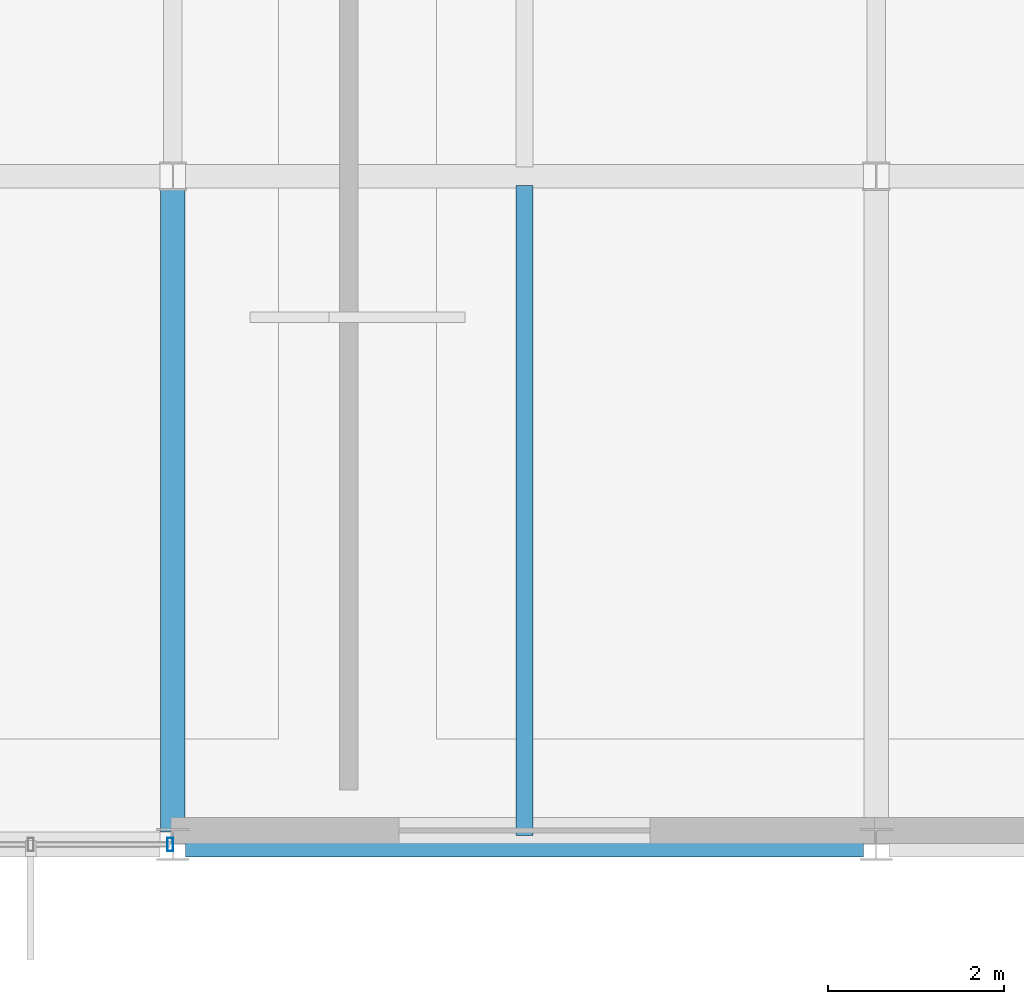
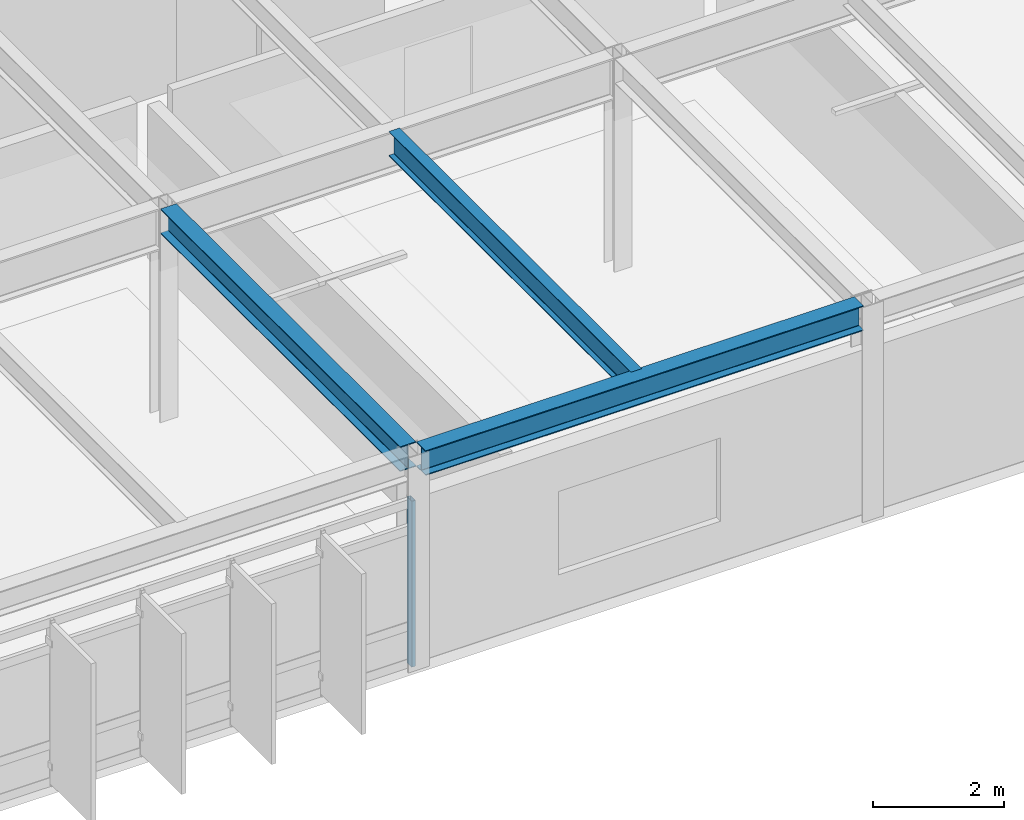
# One storey, part 16 of 33: 3 beams, 1 member, 1 element without a shape of its own.
"""IFC4 building model written with IfcOpenShell, lengths in metres."""

from ifc_helpers import new_model, si_unit, direction, frame, origin, origin_2d, place, context, subcontext, project, spatial, hollow_rectangle, i_section, extrude, material, material_profile, profile_set, type_object, element, aggregate, save


model = new_model("IFC4")

# Units and contexts
model_context = context("Model", 3, precision=1e-05, world=origin(), true_north=direction((0.0, 1.0)))
body_context = subcontext(model_context, "Body", "Model", "MODEL_VIEW")
ifc_project = project(units=[si_unit("LENGTHUNIT", "METRE"), si_unit("AREAUNIT", "SQUARE_METRE"), si_unit("VOLUMEUNIT", "CUBIC_METRE"), si_unit("PLANEANGLEUNIT", "RADIAN"), si_unit("MASSUNIT", "GRAM", prefix="KILO")], contexts=[model_context])

# Site, building, storey
site_placement = place(None, origin())
site = spatial("IfcSite", under=ifc_project, at=site_placement, CompositionType="ELEMENT")
building_placement = place(site_placement, origin())
building = spatial("IfcBuilding", under=site, at=building_placement, Name="Zulena Civic Courthouse", CompositionType="ELEMENT")
storey_placement = place(building_placement, frame((0.0, 0.0, 33.60009765625)))
storey = spatial("IfcBuildingStorey", under=building, at=storey_placement, Name="L07", CompositionType="ELEMENT", Elevation=33.60009765625)

# Curtain wall, member
ifc_material_1 = material(Name="Double-silver low-E laminated solar-control glass", Category="glass")
curtain_wall_type = type_object("IfcCurtainWallType", Name="CW_7940x3090", PredefinedType="USERDEFINED", material=ifc_material_1)
curtain_wall_placement = place(storey_placement, origin())
curtain_wall = element("IfcCurtainWall", 1, at=curtain_wall_placement, inside=storey, type_object=curtain_wall_type, Name="cw:V2:L07:3:3", ObjectType="UNITISED CURTAIN WALL", PredefinedType="USERDEFINED")
ifc_material_2 = material(Name="Bronze anodised thermally broken aluminium AA6063-T6", Category="aluminium")
ifc_material_profile_1 = material_profile(ifc_material_2, hollow_rectangle(XDim=0.06494140625, YDim=0.14990234375, WallThickness=0.00390625, at=origin_2d()), Name="CWM150X65X4")
ifc_profile_set_1 = profile_set([ifc_material_profile_1], Name="Bronze anodised thermally broken aluminium AA6063-T6")
member_type = type_object("IfcMemberType", Name="CWMullion_150x65", PredefinedType="MULLION", material=ifc_profile_set_1)
member_placement = place(storey_placement, frame((43.969970703125, 0.0, 0.0), z_axis=(0.0, 0.0, 1.0), x_axis=(1.0, 0.0, 0.0)))
member = element("IfcMember", 2, at=member_placement, type_object=member_type, Name="cw:V2:L07:3:3:mull:0", PredefinedType="MULLION", context=body_context, shape_type="SweptSolid", body=[
    extrude(hollow_rectangle(XDim=0.06494140625, YDim=0.14990234375, WallThickness=0.00390625, at=origin_2d()), origin(), (0.0, 0.0, 1.0), 3.08984375),
])
aggregate(curtain_wall, [member])

# Beams
ifc_material_3 = material(Name="Steel ASTM A992 Grade 50", Category="steel")
ifc_material_profile_2 = material_profile(ifc_material_3, i_section(OverallWidth=0.19091796875, OverallDepth=0.4599609375, WebThickness=0.010009765625, FlangeThickness=0.01611328125, FilletRadius=0.01025390625, at=origin_2d()), Name="W18X55")
ifc_profile_set_2 = profile_set([ifc_material_profile_2], Name="Steel ASTM A992 Grade 50")
beam_type_1 = type_object("IfcBeamType", Name="Joist_W18X55", PredefinedType="JOIST", material=ifc_profile_set_2)
beam_1_placement = place(storey_placement, frame((48.0, 0.10498046875, 3.77001953125), z_axis=(0.0, 1.0, 0.0), x_axis=(-1.0, 0.0, 0.0)))
element("IfcBeam", 3, at=beam_1_placement, inside=storey, type_object=beam_type_1, Name="joist:V2:L07:48.00:0.0_7.6", PredefinedType="JOIST", context=body_context, shape_type="SweptSolid", body=[
    extrude(i_section(OverallWidth=0.19091796875, OverallDepth=0.4599609375, WebThickness=0.010009765625, FlangeThickness=0.01611328125, FilletRadius=0.01025390625, at=origin_2d()), origin(), (0.0, 0.0, 1.0), 7.39013671875),
])
ifc_material_profile_3 = material_profile(ifc_material_3, i_section(OverallWidth=0.280029296875, OverallDepth=0.462890625, WebThickness=0.0107421875, FlangeThickness=0.017333984375, FilletRadius=0.01025390625, at=origin_2d()), Name="W18X76")
ifc_profile_set_3 = profile_set([ifc_material_profile_3], Name="Steel ASTM A992 Grade 50")
beam_type_2 = type_object("IfcBeamType", Name="Spandrel_W18X76", PredefinedType="SPANDREL", material=ifc_profile_set_3)
beam_2_placement = place(storey_placement, frame((44.14501953125, 0.0, 3.768310546875), z_axis=(1.0, 0.0, 0.0), x_axis=(0.0, 1.0, 0.0)))
element("IfcBeam", 4, at=beam_2_placement, inside=storey, type_object=beam_type_2, Name="beam:X:V2:L07:0.0:44.0_52.0", PredefinedType="SPANDREL", context=body_context, shape_type="SweptSolid", body=[
    extrude(i_section(OverallWidth=0.280029296875, OverallDepth=0.462890625, WebThickness=0.0107421875, FlangeThickness=0.017333984375, FilletRadius=0.01025390625, at=origin_2d()), origin(), (0.0, 0.0, 1.0), 7.7099609375),
])
beam_3_placement = place(storey_placement, frame((44.0, 0.14501953125, 3.768310546875), z_axis=(0.0, 1.0, 0.0), x_axis=(-1.0, 0.0, 0.0)))
element("IfcBeam", 5, at=beam_3_placement, inside=storey, type_object=beam_type_2, Name="beam:Y:V2:L07:44.0:0.0_7.6", PredefinedType="SPANDREL", context=body_context, shape_type="SweptSolid", body=[
    extrude(i_section(OverallWidth=0.280029296875, OverallDepth=0.462890625, WebThickness=0.0107421875, FlangeThickness=0.017333984375, FilletRadius=0.01025390625, at=origin_2d()), origin(), (0.0, 0.0, 1.0), 7.31005859375),
])

save(model, "model.ifc")
